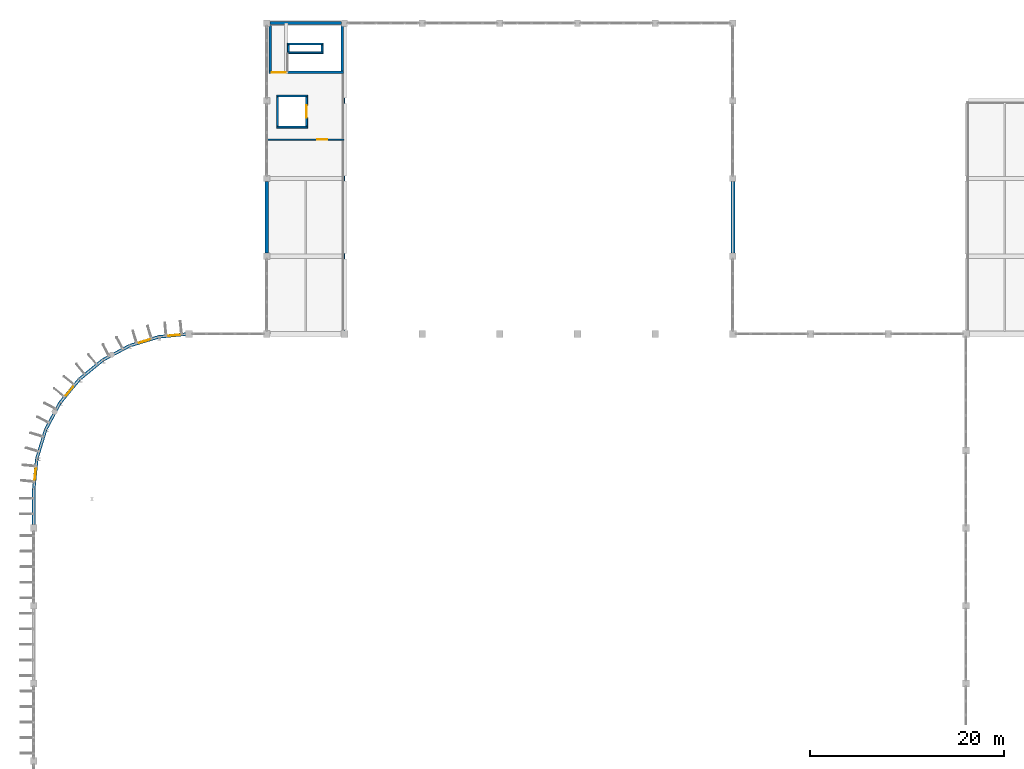
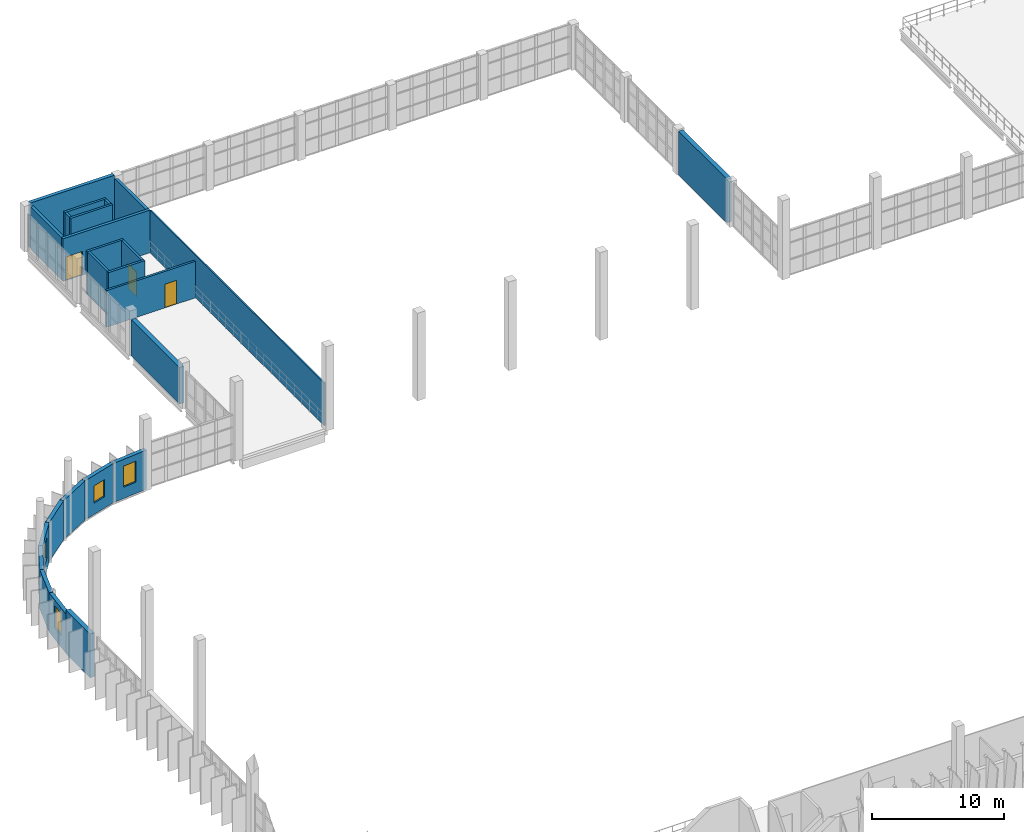
# One storey, part 49 of 66: 25 walls, 4 windows, 3 doors, 7 openings.
"""IFC4 building model written with IfcOpenShell, lengths in metres."""

from ifc_helpers import new_model, si_unit, direction, frame, frame_2d, origin, place, context, subcontext, project, spatial, rectangle, extrude, material, layer, layer_set, type_object, element, fill, save


model = new_model("IFC4")

# Units and contexts
model_context = context("Model", 3, precision=1e-05, world=origin(), true_north=direction((0.0, 1.0)))
body_context = subcontext(model_context, "Body", "Model", "MODEL_VIEW")
ifc_project = project(units=[si_unit("LENGTHUNIT", "METRE"), si_unit("AREAUNIT", "SQUARE_METRE"), si_unit("VOLUMEUNIT", "CUBIC_METRE"), si_unit("PLANEANGLEUNIT", "RADIAN"), si_unit("MASSUNIT", "GRAM", prefix="KILO")], contexts=[model_context])

# Site, building, storey
site_placement = place(None, origin())
site = spatial("IfcSite", under=ifc_project, at=site_placement, CompositionType="ELEMENT")
building_placement = place(site_placement, origin())
building = spatial("IfcBuilding", under=site, at=building_placement, Name="Drelvana Railside Aquatics Centre", CompositionType="ELEMENT")
storey_placement = place(building_placement, frame((0.0, 0.0, 10.199951171875)))
storey = spatial("IfcBuildingStorey", under=building, at=storey_placement, Name="L02", CompositionType="ELEMENT", Elevation=10.199951171875)

# Wall, opening, door
ifc_material_1 = material(Name="Concrete blockwork compartment wall", Category="masonry")
ifc_layer_1 = layer(ifc_material_1, 0.18505859375, Name="Concrete blockwork compartment wall")
ifc_layer_set_1 = layer_set([ifc_layer_1], Name="Concrete blockwork compartment wall")
wall_type_1 = type_object("IfcWallType", Name="WL-COMP-185", PredefinedType="STANDARD", material=ifc_layer_set_1)
wall_1_placement = place(storey_placement, frame((24.080078125, 104.0, 0.0), z_axis=(0.0, 0.0, 1.0), x_axis=(1.0, 0.0, 0.0)))
wall_1 = element("IfcWall", 1, at=wall_1_placement, inside=storey, type_object=wall_type_1, Name="L02 Diving Judges north lobby wall", PredefinedType="STANDARD", context=body_context, shape_type="SweptSolid", body=[
    extrude(rectangle(XDim=7.869873046875, YDim=0.18505859375, at=frame_2d((3.93505859375, 0.0))), origin(), (0.0, 0.0, 1.0), 3.39013671875),
])
opening_1_placement = place(wall_1_placement, frame((5.1201171875, 0.0, 0.0)))
opening_1 = element("IfcOpeningElement", 2, at=opening_1_placement, cuts=wall_1, Name="Opening D-18-158", PredefinedType="OPENING", context=body_context, shape_type="SweptSolid", body=[
    extrude(rectangle(XDim=1.050048828125, YDim=2.199951171875, at=frame_2d((0.52490234375, 1.10009765625))), frame((0.0, 0.1025390625, 0.0), z_axis=(0.0, -1.0, 0.0), x_axis=(1.0, 0.0, 0.0)), (0.0, 0.0, 1.0), 0.205078125),
])
ifc_material_2 = material(Name="Seminar and boardroom acoustic door", Category="wood")
door_type_1 = type_object("IfcDoorType", Name="DR-INT-ROOM-1050x2200", OperationType="NOTDEFINED", PredefinedType="DOOR", material=ifc_material_2)
door_1_placement = place(opening_1_placement, origin())
door_1 = element("IfcDoor", 3, at=door_1_placement, inside=storey, type_object=door_type_1, Name="Diving Judges Suite door D-18-158", OperationType="SINGLE_SWING_LEFT", OverallHeight=2.199951171875, OverallWidth=1.050048828125, PredefinedType="DOOR", context=body_context, shape_type="SweptSolid", body=[
    extrude(rectangle(XDim=1.050048828125, YDim=2.199951171875, at=frame_2d((0.52490234375, 1.10009765625))), frame((0.0, 0.02490234375, 0.0), z_axis=(0.0, -1.0, 0.0), x_axis=(1.0, 0.0, 0.0)), (0.0, 0.0, 1.0), 0.050048828125),
])
fill(opening_1, door_1)

ifc_material_3 = material(Name="Concrete C40/50", Category="concrete")
ifc_layer_2 = layer(ifc_material_3, 0.25, Name="Concrete C40/50")
ifc_layer_set_2 = layer_set([ifc_layer_2], Name="Concrete C40/50")
wall_type_2 = type_object("IfcWallType", Name="WL-CORE-250", PredefinedType="SHEAR", material=ifc_layer_set_2)
wall_2_placement = place(storey_placement, frame((24.25, 110.925048828125, 0.0), z_axis=(0.0, 0.0, 1.0), x_axis=(1.0, 0.0, 0.0)))
wall_2 = element("IfcWall", 4, at=wall_2_placement, inside=storey, type_object=wall_type_2, Name="Core 3 North Diving Hall S core wall (L02)", PredefinedType="SHEAR", context=body_context, shape_type="SweptSolid", body=[
    extrude(rectangle(XDim=7.64990234375, YDim=0.25, at=frame_2d((3.824951171875, 0.0))), origin(), (0.0, 0.0, 1.0), 3.9599609375),
])
opening_2_placement = place(wall_2_placement, frame((0.25, 0.0, 0.0)))
opening_2 = element("IfcOpeningElement", 5, at=opening_2_placement, cuts=wall_2, Name="Opening D-01-020", PredefinedType="OPENING", context=body_context, shape_type="SweptSolid", body=[
    extrude(rectangle(XDim=1.449951171875, YDim=2.199951171875, at=frame_2d((0.72509765625, 1.10009765625))), frame((0.0, 0.135009765625, 0.0), z_axis=(0.0, -1.0, 0.0), x_axis=(1.0, 0.0, 0.0)), (0.0, 0.0, 1.0), 0.27001953125),
])
ifc_material_4 = material(Name="Fire-rated steel and vision-panel door", Category="steel")
door_type_2 = type_object("IfcDoorType", Name="DR-INT-STAIR-1450x2200", OperationType="DOUBLE_DOOR_SINGLE_SWING", PredefinedType="DOOR", material=ifc_material_4)
door_2_placement = place(opening_2_placement, origin())
door_2 = element("IfcDoor", 6, at=door_2_placement, inside=storey, type_object=door_type_2, Name="Stair ST-03 lobby door D-01-020", OperationType="DOUBLE_DOOR_SINGLE_SWING", OverallHeight=2.199951171875, OverallWidth=1.449951171875, PredefinedType="DOOR", context=body_context, shape_type="SweptSolid", body=[
    extrude(rectangle(XDim=1.449951171875, YDim=2.199951171875, at=frame_2d((0.72509765625, 1.10009765625))), frame((0.0, 0.02490234375, 0.0), z_axis=(0.0, -1.0, 0.0), x_axis=(1.0, 0.0, 0.0)), (0.0, 0.0, 1.0), 0.050048828125),
])
fill(opening_2, door_2)

# Walls
for number, where, z_axis, x_axis, name in (
    (7, (24.375, 111.050048828125, 0.0), (0.0, 0.0, 1.0), (0.0, 1.0, 0.0), "Core 3 North Diving Hall W core wall (L02)"),
    (8, (31.77490234375, 111.050048828125, 0.0), (0.0, 0.0, 1.0), (0.0, 1.0, 0.0), "Core 3 North Diving Hall E core wall (L02)"),
):
    element("IfcWall", number, at=place(storey_placement, frame(where, z_axis=z_axis, x_axis=x_axis)), inside=storey, type_object=wall_type_2, Name=name, PredefinedType="SHEAR", context=body_context, shape_type="SweptSolid", body=[
        extrude(rectangle(XDim=4.699951171875, YDim=0.25, at=frame_2d((2.35009765625, 0.0))), origin(), (0.0, 0.0, 1.0), 3.9599609375),
    ])
ifc_layer_3 = layer(ifc_material_3, 0.300048828125, Name="Concrete C40/50")
ifc_layer_set_3 = layer_set([ifc_layer_3], Name="Concrete C40/50")
wall_type_3 = type_object("IfcWallType", Name="WL-CORE-300", PredefinedType="SHEAR", material=ifc_layer_set_3)
wall_3_placement = place(storey_placement, frame((24.321044921875, 116.0, 0.0), z_axis=(0.0, 0.0, 1.0), x_axis=(1.0, 0.0, 0.0)))
element("IfcWall", 9, at=wall_3_placement, inside=storey, type_object=wall_type_3, Name="Core 3 north L02 shear wall", PredefinedType="SHEAR", context=body_context, shape_type="SweptSolid", body=[
    extrude(rectangle(XDim=7.35791015625, YDim=0.300048828125, at=frame_2d((3.678955078125, 0.0))), origin(), (0.0, 0.0, 1.0), 4.199951171875),
])
ifc_material_5 = material(Name="Acoustic twin-stud gypsum partition", Category="gypsum")
ifc_layer_4 = layer(ifc_material_5, 0.1201171875, Name="Acoustic twin-stud gypsum partition")
ifc_layer_set_4 = layer_set([ifc_layer_4], Name="Acoustic twin-stud gypsum partition")
wall_type_4 = type_object("IfcWallType", Name="WL-DRY-120", PredefinedType="PARTITIONING", material=ifc_layer_set_4)
wall_4_placement = place(storey_placement, frame((31.949951171875, 84.35205078125, 0.0), z_axis=(0.0, 0.0, 1.0), x_axis=(0.0, 1.0, 0.0)))
element("IfcWall", 10, at=wall_4_placement, inside=storey, type_object=wall_type_4, Name="L02 Diving Gallery east closure wall", PredefinedType="PARTITIONING", context=body_context, shape_type="SweptSolid", body=[
    extrude(rectangle(XDim=26.447998046875, YDim=0.1201171875, at=frame_2d((13.22412109375, 0.0))), origin(), (0.0, 0.0, 1.0), 3.945068359375),
])

# Wall, opening, window
ifc_material_6 = material(Name="Abuja granite ashlar cavity wall", Category="masonry")
ifc_layer_5 = layer(ifc_material_6, 0.330078125, Name="Abuja granite ashlar cavity wall")
ifc_layer_set_5 = layer_set([ifc_layer_5], Name="Abuja granite ashlar cavity wall")
wall_type_5 = type_object("IfcWallType", Name="WL-EXT-330", PredefinedType="STANDARD", material=ifc_layer_set_5)
wall_5_placement = place(storey_placement, frame((16.0, 84.0, 0.0), z_axis=(0.0, 0.0, 1.0), x_axis=(-0.995186340733, -0.098000751113, 0.0)))
wall_5 = element("IfcWall", 11, at=wall_5_placement, inside=storey, type_object=wall_type_5, Name="V1NW curved stone wall 1", PredefinedType="STANDARD", context=body_context, shape_type="SweptSolid", body=[
    extrude(rectangle(XDim=3.136474609375, YDim=0.330078125, at=frame_2d((1.568359375, 0.0))), origin(), (0.0, 0.0, 1.0), 3.630126953125),
])
opening_3_placement = place(wall_5_placement, frame((0.993408203125, 0.0, 1.050048828125)))
opening_3 = element("IfcOpeningElement", 12, at=opening_3_placement, cuts=wall_5, Name="Opening W-09", PredefinedType="OPENING", context=body_context, shape_type="SweptSolid", body=[
    extrude(rectangle(XDim=1.14990234375, YDim=1.949951171875, at=frame_2d((0.574951171875, 0.97509765625))), frame((0.0, 0.175048828125, 0.0), z_axis=(0.0, -1.0, 0.0), x_axis=(1.0, 0.0, 0.0)), (0.0, 0.0, 1.0), 0.35009765625),
])
ifc_material_7 = material(Name="Double-glazed solar-control aluminium window", Category="aluminium")
window_type_1 = type_object("IfcWindowType", Name="WIN-09", PartitioningType="SINGLE_PANEL", PredefinedType="WINDOW", material=ifc_material_7)
window_1_placement = place(opening_3_placement, origin())
window_1 = element("IfcWindow", 13, at=window_1_placement, inside=storey, type_object=window_type_1, Name="Curved corner window WIN-09", OverallHeight=1.949951171875, OverallWidth=1.14990234375, PartitioningType="SINGLE_PANEL", PredefinedType="WINDOW", context=body_context, shape_type="SweptSolid", body=[
    extrude(rectangle(XDim=1.14990234375, YDim=1.949951171875, at=frame_2d((0.574951171875, 0.97509765625))), frame((0.0, 0.030029296875, 0.0), z_axis=(0.0, -1.0, 0.0), x_axis=(1.0, 0.0, 0.0)), (0.0, 0.0, 1.0), 0.06005859375),
])
fill(opening_3, window_1)

wall_6_placement = place(storey_placement, frame((12.878662109375, 83.692626953125, 0.0), z_axis=(0.0, 0.0, 1.0), x_axis=(-0.956932713703, -0.29030980253, 0.0)))
wall_6 = element("IfcWall", 14, at=wall_6_placement, inside=storey, type_object=wall_type_5, Name="V1NW curved stone wall 2", PredefinedType="STANDARD", context=body_context, shape_type="SweptSolid", body=[
    extrude(rectangle(XDim=3.13671875, YDim=0.330078125, at=frame_2d((1.568359375, 0.0))), origin(), (0.0, 0.0, 1.0), 3.630126953125),
])
opening_4_placement = place(wall_6_placement, frame((0.96826171875, 0.0, 1.050048828125)))
opening_4 = element("IfcOpeningElement", 15, at=opening_4_placement, cuts=wall_6, Name="Opening W-10", PredefinedType="OPENING", context=body_context, shape_type="SweptSolid", body=[
    extrude(rectangle(XDim=1.199951171875, YDim=1.60009765625, at=frame_2d((0.60009765625, 0.800048828125))), frame((0.0, 0.175048828125, 0.0), z_axis=(0.0, -1.0, 0.0), x_axis=(1.0, 0.0, 0.0)), (0.0, 0.0, 1.0), 0.35009765625),
])
window_type_2 = type_object("IfcWindowType", Name="WIN-10", PartitioningType="SINGLE_PANEL", PredefinedType="WINDOW", material=ifc_material_7)
window_2_placement = place(opening_4_placement, origin())
window_2 = element("IfcWindow", 16, at=window_2_placement, inside=storey, type_object=window_type_2, Name="Curved corner window WIN-10", OverallHeight=1.60009765625, OverallWidth=1.199951171875, PartitioningType="SINGLE_PANEL", PredefinedType="WINDOW", context=body_context, shape_type="SweptSolid", body=[
    extrude(rectangle(XDim=1.199951171875, YDim=1.60009765625, at=frame_2d((0.60009765625, 0.800048828125))), frame((0.0, 0.030029296875, 0.0), z_axis=(0.0, -1.0, 0.0), x_axis=(1.0, 0.0, 0.0)), (0.0, 0.0, 1.0), 0.06005859375),
])
fill(opening_4, window_2)

# Walls
for number, where, z_axis, x_axis, name in (
    (17, (9.876953125, 82.781982421875, 0.0), (0.0, 0.0, 1.0), (-0.881921625826, -0.471396060548, 0.0), "V1NW curved stone wall 3"),
    (18, (7.11083984375, 81.303466796875, 0.0), (0.0, 0.0, 1.0), (-0.773016601683, -0.634385792339, 0.0), "V1NW curved stone wall 4"),
):
    element("IfcWall", number, at=place(storey_placement, frame(where, z_axis=z_axis, x_axis=x_axis)), inside=storey, type_object=wall_type_5, Name=name, PredefinedType="STANDARD", context=body_context, shape_type="SweptSolid", body=[
        extrude(rectangle(XDim=3.136474609375, YDim=0.330078125, at=frame_2d((1.568359375, 0.0))), origin(), (0.0, 0.0, 1.0), 3.630126953125),
    ])

# Wall, opening, window
wall_7_placement = place(storey_placement, frame((4.686279296875, 79.313720703125, 0.0), z_axis=(0.0, 0.0, 1.0), x_axis=(-0.634385792339, -0.773016601683, 0.0)))
wall_7 = element("IfcWall", 19, at=wall_7_placement, inside=storey, type_object=wall_type_5, Name="V1NW curved stone wall 5", PredefinedType="STANDARD", context=body_context, shape_type="SweptSolid", body=[
    extrude(rectangle(XDim=3.136474609375, YDim=0.330078125, at=frame_2d((1.568359375, 0.0))), origin(), (0.0, 0.0, 1.0), 3.630126953125),
])
opening_5_placement = place(wall_7_placement, frame((0.993408203125, 0.0, 1.050048828125)))
opening_5 = element("IfcOpeningElement", 20, at=opening_5_placement, cuts=wall_7, Name="Opening W-09", PredefinedType="OPENING", context=body_context, shape_type="SweptSolid", body=[
    extrude(rectangle(XDim=1.14990234375, YDim=1.949951171875, at=frame_2d((0.574951171875, 0.97509765625))), frame((0.0, 0.175048828125, 0.0), z_axis=(0.0, -1.0, 0.0), x_axis=(1.0, 0.0, 0.0)), (0.0, 0.0, 1.0), 0.35009765625),
])
window_3_placement = place(opening_5_placement, origin())
window_3 = element("IfcWindow", 21, at=window_3_placement, inside=storey, type_object=window_type_1, Name="Curved corner window WIN-09", OverallHeight=1.949951171875, OverallWidth=1.14990234375, PartitioningType="SINGLE_PANEL", PredefinedType="WINDOW", context=body_context, shape_type="SweptSolid", body=[
    extrude(rectangle(XDim=1.14990234375, YDim=1.949951171875, at=frame_2d((0.574951171875, 0.97509765625))), frame((0.0, 0.030029296875, 0.0), z_axis=(0.0, -1.0, 0.0), x_axis=(1.0, 0.0, 0.0)), (0.0, 0.0, 1.0), 0.06005859375),
])
fill(opening_5, window_3)

# Walls
wall_8_placement = place(storey_placement, frame((2.696533203125, 76.88916015625, 0.0), z_axis=(0.0, 0.0, 1.0), x_axis=(-0.471396060548, -0.881921625826, 0.0)))
element("IfcWall", 22, at=wall_8_placement, inside=storey, type_object=wall_type_5, Name="V1NW curved stone wall 6", PredefinedType="STANDARD", context=body_context, shape_type="SweptSolid", body=[
    extrude(rectangle(XDim=3.136474609375, YDim=0.330078125, at=frame_2d((1.568359375, 0.0))), origin(), (0.0, 0.0, 1.0), 3.630126953125),
])
wall_9_placement = place(storey_placement, frame((1.218017578125, 74.123046875, 0.0), z_axis=(0.0, 0.0, 1.0), x_axis=(-0.29030980253, -0.956932713703, 0.0)))
element("IfcWall", 23, at=wall_9_placement, inside=storey, type_object=wall_type_5, Name="V1NW curved stone wall 7", PredefinedType="STANDARD", context=body_context, shape_type="SweptSolid", body=[
    extrude(rectangle(XDim=3.13671875, YDim=0.330078125, at=frame_2d((1.568359375, 0.0))), origin(), (0.0, 0.0, 1.0), 3.630126953125),
])

# Wall, opening, window
wall_10_placement = place(storey_placement, frame((0.307373046875, 71.121337890625, 0.0), z_axis=(0.0, 0.0, 1.0), x_axis=(-0.098000751113, -0.995186340733, 0.0)))
wall_10 = element("IfcWall", 24, at=wall_10_placement, inside=storey, type_object=wall_type_5, Name="V1NW curved stone wall 8", PredefinedType="STANDARD", context=body_context, shape_type="SweptSolid", body=[
    extrude(rectangle(XDim=3.136474609375, YDim=0.330078125, at=frame_2d((1.568359375, 0.0))), origin(), (0.0, 0.0, 1.0), 3.630126953125),
])
opening_6_placement = place(wall_10_placement, frame((0.96826171875, 0.0, 1.050048828125)))
opening_6 = element("IfcOpeningElement", 25, at=opening_6_placement, cuts=wall_10, Name="Opening W-12", PredefinedType="OPENING", context=body_context, shape_type="SweptSolid", body=[
    extrude(rectangle(XDim=1.199951171875, YDim=2.050048828125, at=frame_2d((0.60009765625, 1.02490234375))), frame((0.0, 0.175048828125, 0.0), z_axis=(0.0, -1.0, 0.0), x_axis=(1.0, 0.0, 0.0)), (0.0, 0.0, 1.0), 0.35009765625),
])
window_type_3 = type_object("IfcWindowType", Name="WIN-12", PartitioningType="SINGLE_PANEL", PredefinedType="WINDOW", material=ifc_material_7)
window_4_placement = place(opening_6_placement, origin())
window_4 = element("IfcWindow", 26, at=window_4_placement, inside=storey, type_object=window_type_3, Name="Curved corner window WIN-12", OverallHeight=2.050048828125, OverallWidth=1.199951171875, PartitioningType="SINGLE_PANEL", PredefinedType="WINDOW", context=body_context, shape_type="SweptSolid", body=[
    extrude(rectangle(XDim=1.199951171875, YDim=2.050048828125, at=frame_2d((0.60009765625, 1.02490234375))), frame((0.0, 0.030029296875, 0.0), z_axis=(0.0, -1.0, 0.0), x_axis=(1.0, 0.0, 0.0)), (0.0, 0.0, 1.0), 0.06005859375),
])
fill(opening_6, window_4)

# Walls
ifc_material_8 = material(Name="Heavy thermal-mass stone facade wall", Category="masonry")
ifc_layer_6 = layer(ifc_material_8, 0.389892578125, Name="Heavy thermal-mass stone facade wall")
ifc_layer_set_6 = layer_set([ifc_layer_6], Name="Heavy thermal-mass stone facade wall")
wall_type_6 = type_object("IfcWallType", Name="WL-EXT-390", PredefinedType="STANDARD", material=ifc_layer_set_6)
wall_11_placement = place(storey_placement, frame((0.0, 64.345947265625, 0.0), z_axis=(0.0, 0.0, 1.0), x_axis=(0.0, 1.0, 0.0)))
element("IfcWall", 27, at=wall_11_placement, inside=storey, type_object=wall_type_6, Name="V1 West solid masonry bay 64", PredefinedType="STANDARD", context=body_context, shape_type="SweptSolid", body=[
    extrude(rectangle(XDim=3.674072265625, YDim=0.389892578125, at=frame_2d((1.8369140625, 0.0))), origin(), (0.0, 0.0, 1.0), 4.050048828125),
])
wall_12_placement = place(storey_placement, frame((24.0, 92.321044921875, 0.0), z_axis=(0.0, 0.0, 1.0), x_axis=(0.0, 1.0, 0.0)))
element("IfcWall", 28, at=wall_12_placement, inside=storey, type_object=wall_type_6, Name="Diving Hall West braced bay wall", PredefinedType="STANDARD", context=body_context, shape_type="SweptSolid", body=[
    extrude(rectangle(XDim=7.35791015625, YDim=0.389892578125, at=frame_2d((3.678955078125, 0.0))), origin(), (0.0, 0.0, 1.0), 3.39013671875),
])
wall_13_placement = place(storey_placement, frame((72.0, 92.321044921875, 0.0), z_axis=(0.0, 0.0, 1.0), x_axis=(0.0, 1.0, 0.0)))
element("IfcWall", 29, at=wall_13_placement, inside=storey, type_object=wall_type_6, Name="Diving Hall East braced bay wall", PredefinedType="STANDARD", context=body_context, shape_type="SweptSolid", body=[
    extrude(rectangle(XDim=7.35791015625, YDim=0.389892578125, at=frame_2d((3.678955078125, 0.0))), origin(), (0.0, 0.0, 1.0), 4.050048828125),
])
ifc_layer_7 = layer(ifc_material_3, 0.199951171875, Name="Concrete C40/50")
ifc_layer_set_7 = layer_set([ifc_layer_7], Name="Concrete C40/50")
wall_type_7 = type_object("IfcWallType", Name="WL-SHFT-200", PredefinedType="SHEAR", material=ifc_layer_set_7)
for number, where, z_axis, x_axis, name in (
    (30, (26.1201171875, 112.949951171875, 0.0), (0.0, 0.0, 1.0), (1.0, 0.0, 0.0), "Stair ST-03 central spine wall A (L02)"),
    (31, (26.1201171875, 113.85009765625, 0.0), (0.0, 0.0, 1.0), (1.0, 0.0, 0.0), "Stair ST-03 central spine wall B (L02)"),
):
    element("IfcWall", number, at=place(storey_placement, frame(where, z_axis=z_axis, x_axis=x_axis)), inside=storey, type_object=wall_type_7, Name=name, PredefinedType="SHEAR", context=body_context, shape_type="SweptSolid", body=[
        extrude(rectangle(XDim=3.669921875, YDim=0.199951171875, at=frame_2d((1.8349609375, 0.0))), origin(), (0.0, 0.0, 1.0), 3.9599609375),
    ])
for number, where, z_axis, x_axis, name in (
    (32, (26.219970703125, 113.050048828125, 0.0), (0.0, 0.0, 1.0), (0.0, 1.0, 0.0), "Stair ST-03 central spine wall W (L02)"),
    (33, (29.68994140625, 113.050048828125, 0.0), (0.0, 0.0, 1.0), (0.0, 1.0, 0.0), "Stair ST-03 central spine wall E (L02)"),
):
    element("IfcWall", number, at=place(storey_placement, frame(where, z_axis=z_axis, x_axis=x_axis)), inside=storey, type_object=wall_type_7, Name=name, PredefinedType="SHEAR", context=body_context, shape_type="SweptSolid", body=[
        extrude(rectangle(XDim=0.699951171875, YDim=0.199951171875, at=frame_2d((0.35009765625, 0.0))), origin(), (0.0, 0.0, 1.0), 3.9599609375),
    ])
for number, where, z_axis, x_axis, name in (
    (34, (25.0, 105.300048828125, 0.0), (0.0, 0.0, 1.0), (1.0, 0.0, 0.0), "Lift LG-01 S shaft wall (L02)"),
    (35, (25.0, 108.5, 0.0), (0.0, 0.0, 1.0), (1.0, 0.0, 0.0), "Lift LG-01 N shaft wall (L02)"),
):
    element("IfcWall", number, at=place(storey_placement, frame(where, z_axis=z_axis, x_axis=x_axis)), inside=storey, type_object=wall_type_7, Name=name, PredefinedType="SHEAR", context=body_context, shape_type="SweptSolid", body=[
        extrude(rectangle(XDim=3.199951171875, YDim=0.199951171875, at=frame_2d((1.60009765625, 0.0))), origin(), (0.0, 0.0, 1.0), 3.9599609375),
    ])
wall_14_placement = place(storey_placement, frame((25.10009765625, 105.39990234375, 0.0), z_axis=(0.0, 0.0, 1.0), x_axis=(0.0, 1.0, 0.0)))
element("IfcWall", 36, at=wall_14_placement, inside=storey, type_object=wall_type_7, Name="Lift LG-01 W shaft wall (L02)", PredefinedType="SHEAR", context=body_context, shape_type="SweptSolid", body=[
    extrude(rectangle(XDim=3.0, YDim=0.199951171875, at=frame_2d((1.5, 0.0))), origin(), (0.0, 0.0, 1.0), 3.9599609375),
])

# Wall, opening, door
wall_15_placement = place(storey_placement, frame((28.10009765625, 105.39990234375, 0.0), z_axis=(0.0, 0.0, 1.0), x_axis=(0.0, 1.0, 0.0)))
wall_15 = element("IfcWall", 37, at=wall_15_placement, inside=storey, type_object=wall_type_7, Name="Lift LG-01 E shaft wall (L02)", PredefinedType="SHEAR", context=body_context, shape_type="SweptSolid", body=[
    extrude(rectangle(XDim=3.0, YDim=0.199951171875, at=frame_2d((1.5, 0.0))), origin(), (0.0, 0.0, 1.0), 3.9599609375),
])
opening_7_placement = place(wall_15_placement, frame((0.85009765625, 0.0, 0.0)))
opening_7 = element("IfcOpeningElement", 38, at=opening_7_placement, cuts=wall_15, Name="Opening LD-02-024", PredefinedType="OPENING", context=body_context, shape_type="SweptSolid", body=[
    extrude(rectangle(XDim=1.300048828125, YDim=2.300048828125, at=frame_2d((0.64990234375, 1.14990234375))), frame((0.0, 0.10986328125, 0.0), z_axis=(0.0, -1.0, 0.0), x_axis=(1.0, 0.0, 0.0)), (0.0, 0.0, 1.0), 0.219970703125),
])
ifc_material_9 = material(Name="Firefighting & goods lift sliding door", Category="wood")
door_type_3 = type_object("IfcDoorType", Name="DR-LIFT-LD-1300x2300", OperationType="SLIDING_TO_RIGHT", PredefinedType="DOOR", material=ifc_material_9)
door_3_placement = place(opening_7_placement, origin())
door_3 = element("IfcDoor", 39, at=door_3_placement, inside=storey, type_object=door_type_3, Name="Lift LG-01 landing door LD-02-024", OperationType="SLIDING_TO_RIGHT", OverallHeight=2.300048828125, OverallWidth=1.300048828125, PredefinedType="DOOR", context=body_context, shape_type="SweptSolid", body=[
    extrude(rectangle(XDim=1.300048828125, YDim=2.300048828125, at=frame_2d((0.64990234375, 1.14990234375))), frame((0.0, 0.02490234375, 0.0), z_axis=(0.0, -1.0, 0.0), x_axis=(1.0, 0.0, 0.0)), (0.0, 0.0, 1.0), 0.050048828125),
])
fill(opening_7, door_3)

save(model, "model.ifc")
